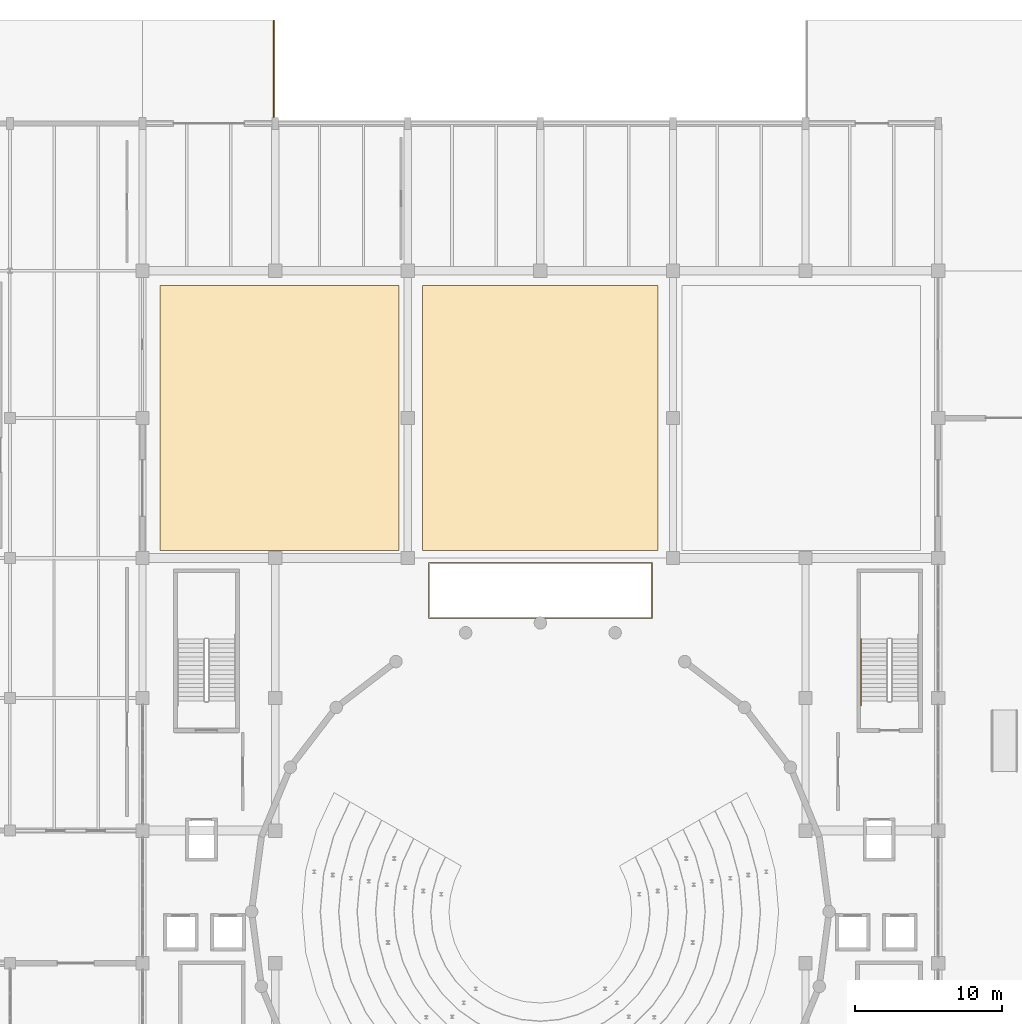
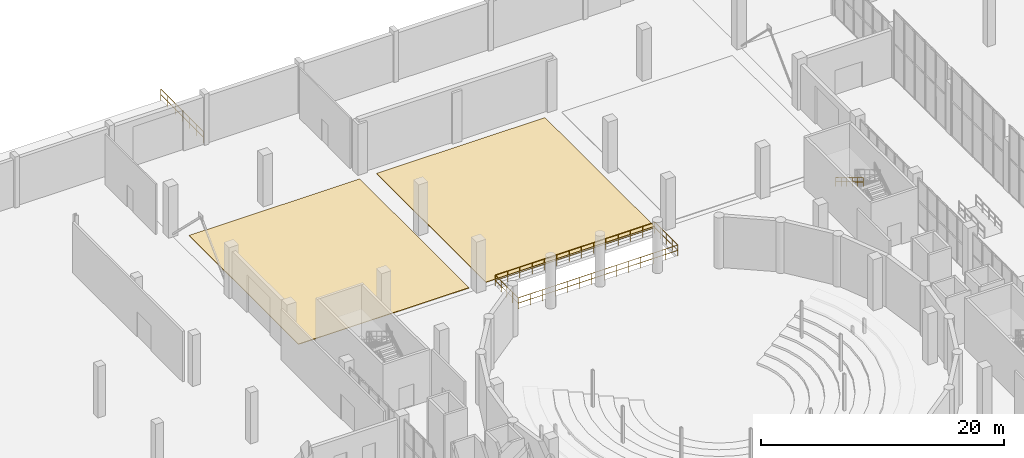
# One storey, part 99 of 103: 3 railings, 2 coverings.
"""IFC4 building model written with IfcOpenShell, lengths in metres."""

from ifc_helpers import new_model, si_unit, direction, frame, origin, origin_2d, place, context, subcontext, project, spatial, polyline, circle, outline, extrude, material, layer, layer_set, type_object, element, save


model = new_model("IFC4")

# Units and contexts
model_context = context("Model", 3, precision=1e-05, world=origin(), true_north=direction((0.0, 1.0)))
body_context = subcontext(model_context, "Body", "Model", "MODEL_VIEW")
ifc_project = project(units=[si_unit("LENGTHUNIT", "METRE"), si_unit("AREAUNIT", "SQUARE_METRE"), si_unit("VOLUMEUNIT", "CUBIC_METRE"), si_unit("PLANEANGLEUNIT", "RADIAN"), si_unit("MASSUNIT", "GRAM", prefix="KILO")], contexts=[model_context])

# Site, building, storey
site_placement = place(None, origin())
site = spatial("IfcSite", under=ifc_project, at=site_placement, CompositionType="ELEMENT")
building_placement = place(site_placement, origin())
building = spatial("IfcBuilding", under=site, at=building_placement, Name="Marnock Terrace Opera House", CompositionType="ELEMENT")
storey_placement = place(building_placement, origin())
storey = spatial("IfcBuildingStorey", under=building, at=storey_placement, Name="L00", CompositionType="ELEMENT", Elevation=0.0)

# Coverings
ifc_material_1 = material(Name="Sprung Douglas-fir stage floor deck")
ifc_layer = layer(ifc_material_1, 0.054931640625)
ifc_layer_set = layer_set([ifc_layer], Name="Sprung Douglas-fir stage floor deck")
covering_type = type_object("IfcCoveringType", Name="COV-FLR-STAGE", PredefinedType="FLOORING", material=ifc_layer_set)
covering_1_placement = place(storey_placement, origin())
element("IfcCovering", 1, at=covering_1_placement, inside=storey, type_object=covering_type, Name="L00 finished flooring FLR-MAINSTAGE", PredefinedType="FLOORING", context=body_context, shape_type="SweptSolid", body=[
    extrude(outline(polyline([(74.0, 85.0), (90.0, 85.0), (90.0, 103.0), (74.0, 103.0), (74.0, 85.0)])), origin(), (0.0, 0.0, 1.0), 0.054931640625),
])
covering_2_placement = place(storey_placement, origin())
element("IfcCovering", 2, at=covering_2_placement, inside=storey, type_object=covering_type, Name="L00 finished flooring FLR-SIDESTAGE-W", PredefinedType="FLOORING", context=body_context, shape_type="SweptSolid", body=[
    extrude(outline(polyline([(56.199951171875, 85.0), (72.39990234375, 85.0), (72.39990234375, 103.0), (56.199951171875, 103.0), (56.199951171875, 85.0)])), origin(), (0.0, 0.0, 1.0), 0.054931640625),
])

# Railings
ifc_material_2 = material(Name="Architectural bronze balustrade")
railing_type_1 = type_object("IfcRailingType", Name="RL-ATRIUM-1120", PredefinedType="BALUSTRADE", material=ifc_material_2)
railing_1_placement = place(storey_placement, frame((74.419921875, 80.419921875, 0.0)))
element("IfcRailing", 3, at=railing_1_placement, inside=storey, type_object=railing_type_1, Name="L00 floor opening balustrade ORCH-PIT", PredefinedType="BALUSTRADE", context=body_context, shape_type="SweptSolid", body=[
    extrude(circle(Radius=0.02392578125, at=origin_2d()), frame((0.0, 0.0, 1.09619140625), z_axis=(1.0, 0.0, 0.0), x_axis=(0.0, 1.0, 0.0)), (0.0, 0.0, 1.0), 15.16015625),
    extrude(circle(Radius=0.02392578125, at=origin_2d()), frame((0.0, 0.0, 0.56005859375), z_axis=(1.0, 0.0, 0.0), x_axis=(0.0, 1.0, 0.0)), (0.0, 0.0, 1.0), 15.16015625),
    extrude(circle(Radius=0.02392578125, at=origin_2d()), frame((15.16015625, 0.0, 1.09619140625), z_axis=(0.0, 1.0, 0.0), x_axis=(-1.0, 0.0, 0.0)), (0.0, 0.0, 1.0), 3.760009765625),
    extrude(circle(Radius=0.02392578125, at=origin_2d()), frame((15.16015625, 0.0, 0.56005859375), z_axis=(0.0, 1.0, 0.0), x_axis=(-1.0, 0.0, 0.0)), (0.0, 0.0, 1.0), 3.760009765625),
    extrude(circle(Radius=0.02392578125, at=origin_2d()), frame((15.16015625, 3.760009765625, 1.09619140625), z_axis=(-1.0, 0.0, 0.0), x_axis=(0.0, -1.0, 0.0)), (0.0, 0.0, 1.0), 15.16015625),
    extrude(circle(Radius=0.02392578125, at=origin_2d()), frame((15.16015625, 3.760009765625, 0.56005859375), z_axis=(-1.0, 0.0, 0.0), x_axis=(0.0, -1.0, 0.0)), (0.0, 0.0, 1.0), 15.16015625),
    extrude(circle(Radius=0.02392578125, at=origin_2d()), frame((0.0, 3.760009765625, 1.09619140625), z_axis=(0.0, -1.0, 0.0), x_axis=(1.0, 0.0, 0.0)), (0.0, 0.0, 1.0), 3.760009765625),
    extrude(circle(Radius=0.02392578125, at=origin_2d()), frame((0.0, 3.760009765625, 0.56005859375), z_axis=(0.0, -1.0, 0.0), x_axis=(1.0, 0.0, 0.0)), (0.0, 0.0, 1.0), 3.760009765625),
    extrude(circle(Radius=0.02099609375, at=origin_2d()), origin(), (0.0, 0.0, 1.0), 1.072021484375),
    extrude(circle(Radius=0.02099609375, at=origin_2d()), frame((1.166259765625, 0.0, 0.0)), (0.0, 0.0, 1.0), 1.072021484375),
    extrude(circle(Radius=0.02099609375, at=origin_2d()), frame((2.332275390625, 0.0, 0.0)), (0.0, 0.0, 1.0), 1.072021484375),
    extrude(circle(Radius=0.02099609375, at=origin_2d()), frame((3.49853515625, 0.0, 0.0)), (0.0, 0.0, 1.0), 1.072021484375),
    extrude(circle(Radius=0.02099609375, at=origin_2d()), frame((4.66455078125, 0.0, 0.0)), (0.0, 0.0, 1.0), 1.072021484375),
    extrude(circle(Radius=0.02099609375, at=origin_2d()), frame((5.830810546875, 0.0, 0.0)), (0.0, 0.0, 1.0), 1.072021484375),
    extrude(circle(Radius=0.02099609375, at=origin_2d()), frame((6.9970703125, 0.0, 0.0)), (0.0, 0.0, 1.0), 1.072021484375),
    extrude(circle(Radius=0.02099609375, at=origin_2d()), frame((8.1630859375, 0.0, 0.0)), (0.0, 0.0, 1.0), 1.072021484375),
    extrude(circle(Radius=0.02099609375, at=origin_2d()), frame((9.329345703125, 0.0, 0.0)), (0.0, 0.0, 1.0), 1.072021484375),
    extrude(circle(Radius=0.02099609375, at=origin_2d()), frame((10.49560546875, 0.0, 0.0)), (0.0, 0.0, 1.0), 1.072021484375),
    extrude(circle(Radius=0.02099609375, at=origin_2d()), frame((11.66162109375, 0.0, 0.0)), (0.0, 0.0, 1.0), 1.072021484375),
    extrude(circle(Radius=0.02099609375, at=origin_2d()), frame((12.827880859375, 0.0, 0.0)), (0.0, 0.0, 1.0), 1.072021484375),
    extrude(circle(Radius=0.02099609375, at=origin_2d()), frame((13.993896484375, 0.0, 0.0)), (0.0, 0.0, 1.0), 1.072021484375),
    extrude(circle(Radius=0.02099609375, at=origin_2d()), frame((15.16015625, 0.0, 0.0)), (0.0, 0.0, 1.0), 1.072021484375),
    extrude(circle(Radius=0.02099609375, at=origin_2d()), frame((15.16015625, 0.93994140625, 0.0)), (0.0, 0.0, 1.0), 1.072021484375),
    extrude(circle(Radius=0.02099609375, at=origin_2d()), frame((15.16015625, 1.8798828125, 0.0)), (0.0, 0.0, 1.0), 1.072021484375),
    extrude(circle(Radius=0.02099609375, at=origin_2d()), frame((15.16015625, 2.820068359375, 0.0)), (0.0, 0.0, 1.0), 1.072021484375),
    extrude(circle(Radius=0.02099609375, at=origin_2d()), frame((15.16015625, 3.760009765625, 0.0)), (0.0, 0.0, 1.0), 1.072021484375),
    extrude(circle(Radius=0.02099609375, at=origin_2d()), frame((13.993896484375, 3.760009765625, 0.0)), (0.0, 0.0, 1.0), 1.072021484375),
    extrude(circle(Radius=0.02099609375, at=origin_2d()), frame((12.827880859375, 3.760009765625, 0.0)), (0.0, 0.0, 1.0), 1.072021484375),
    extrude(circle(Radius=0.02099609375, at=origin_2d()), frame((11.66162109375, 3.760009765625, 0.0)), (0.0, 0.0, 1.0), 1.072021484375),
    extrude(circle(Radius=0.02099609375, at=origin_2d()), frame((10.49560546875, 3.760009765625, 0.0)), (0.0, 0.0, 1.0), 1.072021484375),
    extrude(circle(Radius=0.02099609375, at=origin_2d()), frame((9.329345703125, 3.760009765625, 0.0)), (0.0, 0.0, 1.0), 1.072021484375),
    extrude(circle(Radius=0.02099609375, at=origin_2d()), frame((8.1630859375, 3.760009765625, 0.0)), (0.0, 0.0, 1.0), 1.072021484375),
    extrude(circle(Radius=0.02099609375, at=origin_2d()), frame((6.9970703125, 3.760009765625, 0.0)), (0.0, 0.0, 1.0), 1.072021484375),
    extrude(circle(Radius=0.02099609375, at=origin_2d()), frame((5.830810546875, 3.760009765625, 0.0)), (0.0, 0.0, 1.0), 1.072021484375),
    extrude(circle(Radius=0.02099609375, at=origin_2d()), frame((4.66455078125, 3.760009765625, 0.0)), (0.0, 0.0, 1.0), 1.072021484375),
    extrude(circle(Radius=0.02099609375, at=origin_2d()), frame((3.49853515625, 3.760009765625, 0.0)), (0.0, 0.0, 1.0), 1.072021484375),
    extrude(circle(Radius=0.02099609375, at=origin_2d()), frame((2.332275390625, 3.760009765625, 0.0)), (0.0, 0.0, 1.0), 1.072021484375),
    extrude(circle(Radius=0.02099609375, at=origin_2d()), frame((1.166259765625, 3.760009765625, 0.0)), (0.0, 0.0, 1.0), 1.072021484375),
    extrude(circle(Radius=0.02099609375, at=origin_2d()), frame((0.0, 3.760009765625, 0.0)), (0.0, 0.0, 1.0), 1.072021484375),
    extrude(circle(Radius=0.02099609375, at=origin_2d()), frame((0.0, 2.820068359375, 0.0)), (0.0, 0.0, 1.0), 1.072021484375),
    extrude(circle(Radius=0.02099609375, at=origin_2d()), frame((0.0, 1.8798828125, 0.0)), (0.0, 0.0, 1.0), 1.072021484375),
    extrude(circle(Radius=0.02099609375, at=origin_2d()), frame((0.0, 0.93994140625, 0.0)), (0.0, 0.0, 1.0), 1.072021484375),
])
ifc_material_3 = material(Name="Basket Range sandstone ashlar masonry", Category="masonry")
railing_type_2 = type_object("IfcRailingType", Name="RL-BALUST-1150", PredefinedType="BALUSTRADE", material=ifc_material_3)
railing_2_placement = place(storey_placement, frame((63.89990234375, 114.0, 0.0)))
element("IfcRailing", 4, at=railing_2_placement, inside=storey, type_object=railing_type_2, Name="L00 roof-garden balustrade BAL-L00-SUNKEN-W", PredefinedType="BALUSTRADE", context=body_context, shape_type="SweptSolid", body=[
    extrude(circle(Radius=0.02392578125, at=origin_2d()), frame((0.0, 0.0, 1.1259765625), z_axis=(0.0, 1.0, 0.0), x_axis=(-1.0, 0.0, 0.0)), (0.0, 0.0, 1.0), 7.0),
    extrude(circle(Radius=0.02392578125, at=origin_2d()), frame((0.0, 0.0, 0.574951171875), z_axis=(0.0, 1.0, 0.0), x_axis=(-1.0, 0.0, 0.0)), (0.0, 0.0, 1.0), 7.0),
    extrude(circle(Radius=0.02099609375, at=origin_2d()), origin(), (0.0, 0.0, 1.0), 1.101806640625),
    extrude(circle(Radius=0.02099609375, at=origin_2d()), frame((0.0, 1.166748046875, 0.0)), (0.0, 0.0, 1.0), 1.101806640625),
    extrude(circle(Radius=0.02099609375, at=origin_2d()), frame((0.0, 2.333251953125, 0.0)), (0.0, 0.0, 1.0), 1.101806640625),
    extrude(circle(Radius=0.02099609375, at=origin_2d()), frame((0.0, 3.5, 0.0)), (0.0, 0.0, 1.0), 1.101806640625),
    extrude(circle(Radius=0.02099609375, at=origin_2d()), frame((0.0, 4.666748046875, 0.0)), (0.0, 0.0, 1.0), 1.101806640625),
    extrude(circle(Radius=0.02099609375, at=origin_2d()), frame((0.0, 5.833251953125, 0.0)), (0.0, 0.0, 1.0), 1.101806640625),
    extrude(circle(Radius=0.02099609375, at=origin_2d()), frame((0.0, 7.0, 0.0)), (0.0, 0.0, 1.0), 1.101806640625),
])
railing_type_3 = type_object("IfcRailingType", Name="RL-HAND-900", PredefinedType="HANDRAIL", material=ifc_material_2)
railing_3_placement = place(storey_placement, frame((103.77001953125, 79.0, 2.89208984375)))
element("IfcRailing", 5, at=railing_3_placement, inside=storey, type_object=railing_type_3, Name="L00 ST-04 stair handrail 2", PredefinedType="HANDRAIL", context=body_context, shape_type="SweptSolid", body=[
    extrude(circle(Radius=0.02392578125, at=origin_2d()), frame((0.0, 0.0, 0.8759765625), z_axis=(0.0, -0.857497030584, 0.514488913912), x_axis=(1.0, 0.0, 0.0)), (0.0, 0.0, 1.0), 5.247802734375),
    extrude(circle(Radius=0.02392578125, at=origin_2d()), frame((0.0, 0.0, 0.449951171875), z_axis=(0.0, -0.857497030584, 0.514488913912), x_axis=(1.0, 0.0, 0.0)), (0.0, 0.0, 1.0), 5.247802734375),
    extrude(circle(Radius=0.02099609375, at=origin_2d()), origin(), (0.0, 0.0, 1.0), 0.851806640625),
    extrude(circle(Radius=0.02099609375, at=origin_2d()), frame((0.0, -0.89990234375, 0.5400390625)), (0.0, 0.0, 1.0), 0.851806640625),
    extrude(circle(Radius=0.02099609375, at=origin_2d()), frame((0.0, -1.800048828125, 1.080078125)), (0.0, 0.0, 1.0), 0.851806640625),
    extrude(circle(Radius=0.02099609375, at=origin_2d()), frame((0.0, -2.699951171875, 1.619873046875)), (0.0, 0.0, 1.0), 0.851806640625),
    extrude(circle(Radius=0.02099609375, at=origin_2d()), frame((0.0, -3.60009765625, 2.159912109375)), (0.0, 0.0, 1.0), 0.851806640625),
    extrude(circle(Radius=0.02099609375, at=origin_2d()), frame((0.0, -4.5, 2.699951171875)), (0.0, 0.0, 1.0), 0.851806640625),
])

save(model, "model.ifc")
